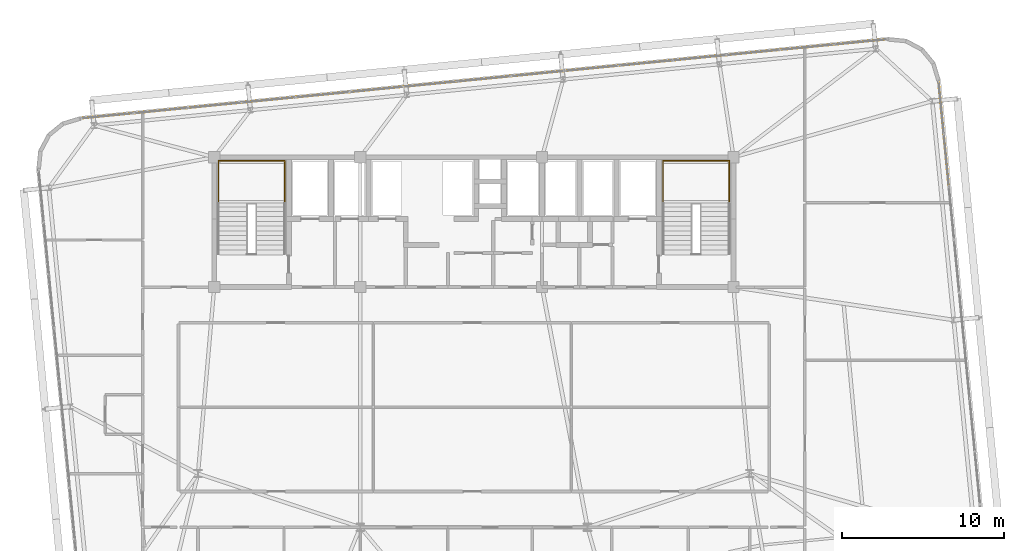
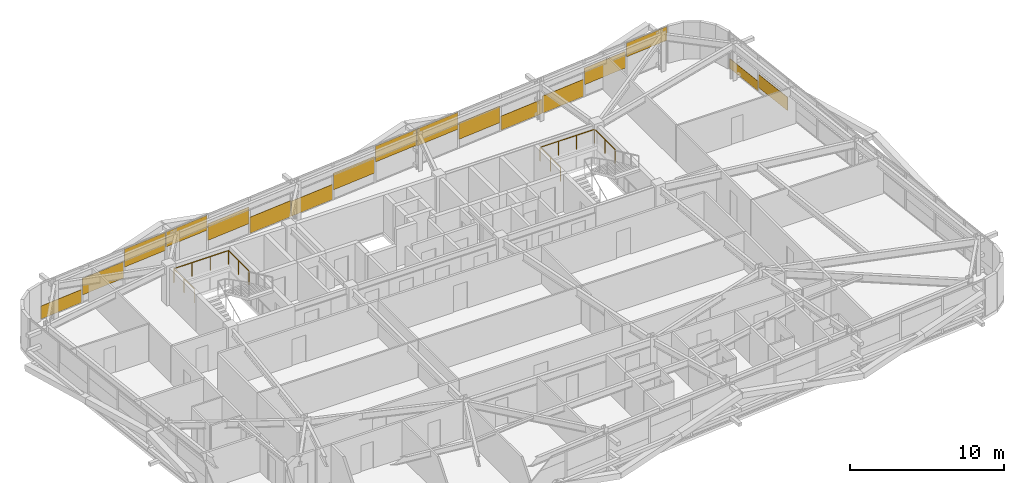
# One storey, part 54 of 54: 17 coverings, 2 railings.
"""IFC4 building model written with IfcOpenShell, lengths in metres."""

from ifc_helpers import new_model, si_unit, direction, frame, origin, origin_2d, place, context, subcontext, project, spatial, rectangle, extrude, source, transform, mapped, material, layer, layer_set, type_object, element, save


model = new_model("IFC4")

# Units and contexts
model_context = context("Model", 3, precision=1e-05, world=origin(), true_north=direction((0.0, 1.0)))
body_context = subcontext(model_context, "Body", "Model", "MODEL_VIEW")
ifc_project = project(units=[si_unit("LENGTHUNIT", "METRE"), si_unit("AREAUNIT", "SQUARE_METRE"), si_unit("VOLUMEUNIT", "CUBIC_METRE"), si_unit("PLANEANGLEUNIT", "RADIAN"), si_unit("MASSUNIT", "GRAM", prefix="KILO")], contexts=[model_context])

# Site, building, storey
site_placement = place(None, origin())
site = spatial("IfcSite", under=ifc_project, at=site_placement, CompositionType="ELEMENT")
building_placement = place(site_placement, origin())
building = spatial("IfcBuilding", under=site, at=building_placement, Name="Taldren Reach Tower", CompositionType="ELEMENT")
storey_placement = place(building_placement, frame((0.0, 0.0, 99.75)))
storey = spatial("IfcBuildingStorey", under=building, at=storey_placement, Name="L30", CompositionType="ELEMENT", Elevation=99.75)

# Railings
ifc_material_1 = material(Name="Steel Gr 350 (C350L0)", Category="steel")
ifc_layer_1 = layer(ifc_material_1, 0.050048828125)
ifc_layer_set_1 = layer_set([ifc_layer_1], Name="Steel Gr 350 (C350L0)")
railing_type = type_object("IfcRailingType", Name="RL-STAIR-GR", PredefinedType="GUARDRAIL", material=ifc_layer_set_1)
for number, where, name in (
    (1, (19.260009765625, 29.135009765625, 1.574951171875), "Stair half-landing perimeter guard ST1-L30"),
    (2, (46.659912109375, 29.135009765625, 1.574951171875), "Stair half-landing perimeter guard ST2-L30"),
):
    element("IfcRailing", number, at=place(storey_placement, frame(where)), inside=storey, type_object=railing_type, Name=name, PredefinedType="GUARDRAIL", context=body_context, shape_type="SweptSolid", body=[
        extrude(rectangle(XDim=0.047852, YDim=0.047852, at=origin_2d()), frame((0.0, 0.0, 1.09619140625), z_axis=(0.0, 1.0, 0.0), x_axis=(-1.0, 0.0, 0.0)), (0.0, 0.0, 1.0), 2.64501953125),
        extrude(rectangle(XDim=0.047852, YDim=0.047852, at=origin_2d()), frame((0.0, 2.64501953125, 1.09619140625), z_axis=(1.0, 0.0, 0.0), x_axis=(0.0, 1.0, 0.0)), (0.0, 0.0, 1.0), 4.080078125),
        extrude(rectangle(XDim=0.047852, YDim=0.047852, at=origin_2d()), frame((4.080078125, 2.64501953125, 1.09619140625), z_axis=(0.0, -1.0, 0.0), x_axis=(1.0, 0.0, 0.0)), (0.0, 0.0, 1.0), 2.64501953125),
        extrude(rectangle(XDim=0.041992, YDim=0.041992, at=origin_2d()), origin(), (0.0, 0.0, 1.0), 1.072021484375),
        extrude(rectangle(XDim=0.041992, YDim=0.041992, at=origin_2d()), frame((0.0, 1.322509765625, 0.0)), (0.0, 0.0, 1.0), 1.072021484375),
        extrude(rectangle(XDim=0.041992, YDim=0.041992, at=origin_2d()), frame((0.0, 2.64501953125, 0.0)), (0.0, 0.0, 1.0), 1.072021484375),
        extrude(rectangle(XDim=0.041992, YDim=0.041992, at=origin_2d()), frame((1.360107421875, 2.64501953125, 0.0)), (0.0, 0.0, 1.0), 1.072021484375),
        extrude(rectangle(XDim=0.041992, YDim=0.041992, at=origin_2d()), frame((2.719970703125, 2.64501953125, 0.0)), (0.0, 0.0, 1.0), 1.072021484375),
        extrude(rectangle(XDim=0.041992, YDim=0.041992, at=origin_2d()), frame((4.080078125, 2.64501953125, 0.0)), (0.0, 0.0, 1.0), 1.072021484375),
        extrude(rectangle(XDim=0.041992, YDim=0.041992, at=origin_2d()), frame((4.080078125, 1.322509765625, 0.0)), (0.0, 0.0, 1.0), 1.072021484375),
        extrude(rectangle(XDim=0.041992, YDim=0.041992, at=origin_2d()), frame((4.080078125, 0.0, 0.0)), (0.0, 0.0, 1.0), 1.072021484375),
    ])

# Coverings
ifc_material_2 = material(Name="Pale Champagne Fluoropolymer Aluminium Spandrel Cladding", Category="aluminium")
ifc_layer_2 = layer(ifc_material_2, 0.0439453125)
ifc_layer_set_2 = layer_set([ifc_layer_2], Name="Pale Champagne Fluoropolymer Aluminium Spandrel Cladding")
covering_type = type_object("IfcCoveringType", Name="CV-CLAD-044", PredefinedType="CLADDING", material=ifc_layer_set_2)
shared_shape_1 = source(origin(), body_context, "Body", "SweptSolid", [
    extrude(rectangle(XDim=3.23583984375, YDim=0.0439453125, at=origin_2d()), origin(), (0.0, 0.0, 1.0), 1.094970703125),
])
covering_1_placement = place(storey_placement, frame((58.83740234375, 39.101318359375, 1.7802734375), z_axis=(0.0, 0.0, 1.0), x_axis=(-0.995227390247, -0.097582999046, 0.0)))
element("IfcCovering", 3, at=covering_1_placement, inside=storey, type_object=covering_type, Name="Diagrid closure cladding strip CW-3 panel 1.1 1", PredefinedType="CLADDING", context=body_context, shape_type="MappedRepresentation", body=[
    mapped(shared_shape_1, transform((0.0, 0.0, 0.0), scale=1.0)),
])
shared_shape_2 = source(origin(), body_context, "Body", "SweptSolid", [
    extrude(rectangle(XDim=3.268310546875, YDim=0.0439453125, at=origin_2d()), origin(), (0.0, 0.0, 1.0), 1.3046875),
])
for number, where, z_axis, x_axis, name in (
    (4, (55.5361328125, 38.777587890625, 0.943359375), (0.0, 0.0, 1.0), (-0.995227390247, -0.097582999046, 0.0), "Diagrid closure cladding strip CW-3 panel 2.1 1"),
    (5, (45.583740234375, 37.8017578125, 0.702392578125), (0.0, 0.0, 1.0), (-0.995227390247, -0.097582999046, 0.0), "Diagrid closure cladding strip CW-3 panel 5.1 1"),
    (6, (35.631591796875, 36.825927734375, 0.78271484375), (0.0, 0.0, 1.0), (-0.995227390247, -0.097582999046, 0.0), "Diagrid closure cladding strip CW-3 panel 8.1 1"),
    (7, (25.67919921875, 35.85009765625, 0.863037109375), (0.0, 0.0, 1.0), (-0.995227390247, -0.097582999046, 0.0), "Diagrid closure cladding strip CW-3 panel 11.1 1"),
    (8, (15.72705078125, 34.874267578125, 0.6220703125), (0.0, 0.0, 1.0), (-0.995227390247, -0.097582999046, 0.0), "Diagrid closure cladding strip CW-3 panel 14.1 1"),
):
    element("IfcCovering", number, at=place(storey_placement, frame(where, z_axis=z_axis, x_axis=x_axis)), inside=storey, type_object=covering_type, Name=name, PredefinedType="CLADDING", context=body_context, shape_type="MappedRepresentation", body=[
        mapped(shared_shape_2, transform((0.0, 0.0, 0.0), scale=1.0)),
    ])
shared_shape_3 = source(origin(), body_context, "Body", "SweptSolid", [
    extrude(rectangle(XDim=3.268310546875, YDim=0.0439453125, at=origin_2d()), origin(), (0.0, 0.0, 1.0), 1.356201171875),
])
covering_2_placement = place(storey_placement, frame((52.21875, 38.452392578125, 0.05517578125), z_axis=(0.0, 0.0, 1.0), x_axis=(-0.995227390247, -0.097582999046, 0.0)))
element("IfcCovering", 9, at=covering_2_placement, inside=storey, type_object=covering_type, Name="Diagrid closure cladding strip CW-3 panel 3.1 1", PredefinedType="CLADDING", context=body_context, shape_type="MappedRepresentation", body=[
    mapped(shared_shape_3, transform((0.0, 0.0, 0.0), scale=1.0)),
])
shared_shape_4 = source(origin(), body_context, "Body", "SweptSolid", [
    extrude(rectangle(XDim=3.268310546875, YDim=0.0439453125, at=origin_2d()), origin(), (0.0, 0.0, 1.0), 1.115234375),
])
covering_3_placement = place(storey_placement, frame((48.9013671875, 38.126953125, 0.054931640625), z_axis=(0.0, 0.0, 1.0), x_axis=(-0.995227390247, -0.097582999046, 0.0)))
element("IfcCovering", 10, at=covering_3_placement, inside=storey, type_object=covering_type, Name="Diagrid closure cladding strip CW-3 panel 4.1 1", PredefinedType="CLADDING", context=body_context, shape_type="MappedRepresentation", body=[
    mapped(shared_shape_4, transform((0.0, 0.0, 0.0), scale=1.0)),
])
shared_shape_5 = source(origin(), body_context, "Body", "SweptSolid", [
    extrude(rectangle(XDim=3.268310546875, YDim=0.0439453125, at=origin_2d()), origin(), (0.0, 0.0, 1.0), 1.3359375),
])
covering_4_placement = place(storey_placement, frame((42.266357421875, 37.4765625, 1.5390625), z_axis=(0.0, 0.0, 1.0), x_axis=(-0.995227390247, -0.097582999046, 0.0)))
element("IfcCovering", 11, at=covering_4_placement, inside=storey, type_object=covering_type, Name="Diagrid closure cladding strip CW-3 panel 6.1 1", PredefinedType="CLADDING", context=body_context, shape_type="MappedRepresentation", body=[
    mapped(shared_shape_5, transform((0.0, 0.0, 0.0), scale=1.0)),
])
shared_shape_6 = source(origin(), body_context, "Body", "SweptSolid", [
    extrude(rectangle(XDim=3.268310546875, YDim=0.0439453125, at=origin_2d()), origin(), (0.0, 0.0, 1.0), 1.255615234375),
])
covering_5_placement = place(storey_placement, frame((38.948974609375, 37.151123046875, 1.61962890625), z_axis=(0.0, 0.0, 1.0), x_axis=(-0.995227390247, -0.097582999046, 0.0)))
element("IfcCovering", 12, at=covering_5_placement, inside=storey, type_object=covering_type, Name="Diagrid closure cladding strip CW-3 panel 7.1 1", PredefinedType="CLADDING", context=body_context, shape_type="MappedRepresentation", body=[
    mapped(shared_shape_6, transform((0.0, 0.0, 0.0), scale=1.0)),
])
shared_shape_7 = source(origin(), body_context, "Body", "SweptSolid", [
    extrude(rectangle(XDim=3.268310546875, YDim=0.0439453125, at=origin_2d()), origin(), (0.0, 0.0, 1.0), 1.195556640625),
])
covering_6_placement = place(storey_placement, frame((32.314208984375, 36.500732421875, 0.05517578125), z_axis=(0.0, 0.0, 1.0), x_axis=(-0.995227390247, -0.097582999046, 0.0)))
element("IfcCovering", 13, at=covering_6_placement, inside=storey, type_object=covering_type, Name="Diagrid closure cladding strip CW-3 panel 9.1 1", PredefinedType="CLADDING", context=body_context, shape_type="MappedRepresentation", body=[
    mapped(shared_shape_7, transform((0.0, 0.0, 0.0), scale=1.0)),
])
shared_shape_8 = source(origin(), body_context, "Body", "SweptSolid", [
    extrude(rectangle(XDim=3.268310546875, YDim=0.0439453125, at=origin_2d()), origin(), (0.0, 0.0, 1.0), 1.27587890625),
])
covering_7_placement = place(storey_placement, frame((28.996826171875, 36.17529296875, 0.054931640625), z_axis=(0.0, 0.0, 1.0), x_axis=(-0.995227390247, -0.097582999046, 0.0)))
element("IfcCovering", 14, at=covering_7_placement, inside=storey, type_object=covering_type, Name="Diagrid closure cladding strip CW-3 panel 10.1 1", PredefinedType="CLADDING", context=body_context, shape_type="MappedRepresentation", body=[
    mapped(shared_shape_8, transform((0.0, 0.0, 0.0), scale=1.0)),
])
shared_shape_9 = source(origin(), body_context, "Body", "SweptSolid", [
    extrude(rectangle(XDim=3.268310546875, YDim=0.0439453125, at=origin_2d()), origin(), (0.0, 0.0, 1.0), 1.17529296875),
])
covering_8_placement = place(storey_placement, frame((22.36181640625, 35.52490234375, 1.69970703125), z_axis=(0.0, 0.0, 1.0), x_axis=(-0.995227390247, -0.097582999046, 0.0)))
element("IfcCovering", 15, at=covering_8_placement, inside=storey, type_object=covering_type, Name="Diagrid closure cladding strip CW-3 panel 12.1 1", PredefinedType="CLADDING", context=body_context, shape_type="MappedRepresentation", body=[
    mapped(shared_shape_9, transform((0.0, 0.0, 0.0), scale=1.0)),
])
shared_shape_10 = source(origin(), body_context, "Body", "SweptSolid", [
    extrude(rectangle(XDim=3.268310546875, YDim=0.0439453125, at=origin_2d()), origin(), (0.0, 0.0, 1.0), 1.416259765625),
])
covering_9_placement = place(storey_placement, frame((19.04443359375, 35.199462890625, 1.458984375), z_axis=(0.0, 0.0, 1.0), x_axis=(-0.995227390247, -0.097582999046, 0.0)))
element("IfcCovering", 16, at=covering_9_placement, inside=storey, type_object=covering_type, Name="Diagrid closure cladding strip CW-3 panel 13.1 1", PredefinedType="CLADDING", context=body_context, shape_type="MappedRepresentation", body=[
    mapped(shared_shape_10, transform((0.0, 0.0, 0.0), scale=1.0)),
])
shared_shape_11 = source(origin(), body_context, "Body", "SweptSolid", [
    extrude(rectangle(XDim=3.23583984375, YDim=0.0439453125, at=origin_2d()), origin(), (0.0, 0.0, 1.0), 1.034912109375),
])
covering_10_placement = place(storey_placement, frame((12.42578125, 34.550537109375, 0.05517578125), z_axis=(0.0, 0.0, 1.0), x_axis=(-0.995227390247, -0.097582999046, 0.0)))
element("IfcCovering", 17, at=covering_10_placement, inside=storey, type_object=covering_type, Name="Diagrid closure cladding strip CW-3 panel 15.1 1", PredefinedType="CLADDING", context=body_context, shape_type="MappedRepresentation", body=[
    mapped(shared_shape_11, transform((0.0, 0.0, 0.0), scale=1.0)),
])
shared_shape_12 = source(origin(), body_context, "Body", "SweptSolid", [
    extrude(rectangle(XDim=3.212890625, YDim=0.0439453125, at=origin_2d()), origin(), (0.0, 0.0, 1.0), 1.053466796875),
])
covering_11_placement = place(storey_placement, frame((64.117431640625, 31.80517578125, 0.35986328125), z_axis=(0.0, 0.0, 1.0), x_axis=(-0.09758274098, 0.99522741555, 0.0)))
element("IfcCovering", 18, at=covering_11_placement, inside=storey, type_object=covering_type, Name="Diagrid closure cladding strip CW-3 panel 8.1 1", PredefinedType="CLADDING", context=body_context, shape_type="MappedRepresentation", body=[
    mapped(shared_shape_12, transform((0.0, 0.0, 0.0), scale=1.0)),
])
shared_shape_13 = source(origin(), body_context, "Body", "SweptSolid", [
    extrude(rectangle(XDim=3.18017578125, YDim=0.0439453125, at=origin_2d()), origin(), (0.0, 0.0, 1.0), 0.7705078125),
])
covering_12_placement = place(storey_placement, frame((63.79931640625, 35.051025390625, 0.054931640625), z_axis=(0.0, 0.0, 1.0), x_axis=(-0.09758274098, 0.99522741555, 0.0)))
element("IfcCovering", 19, at=covering_12_placement, inside=storey, type_object=covering_type, Name="Diagrid closure cladding strip CW-3 panel 9.1 1", PredefinedType="CLADDING", context=body_context, shape_type="MappedRepresentation", body=[
    mapped(shared_shape_13, transform((0.0, 0.0, 0.0), scale=1.0)),
])

save(model, "model.ifc")
